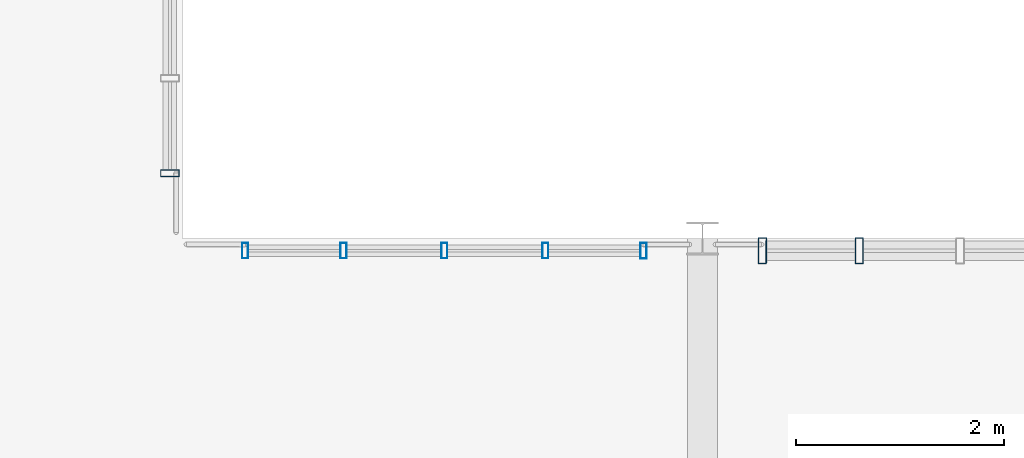
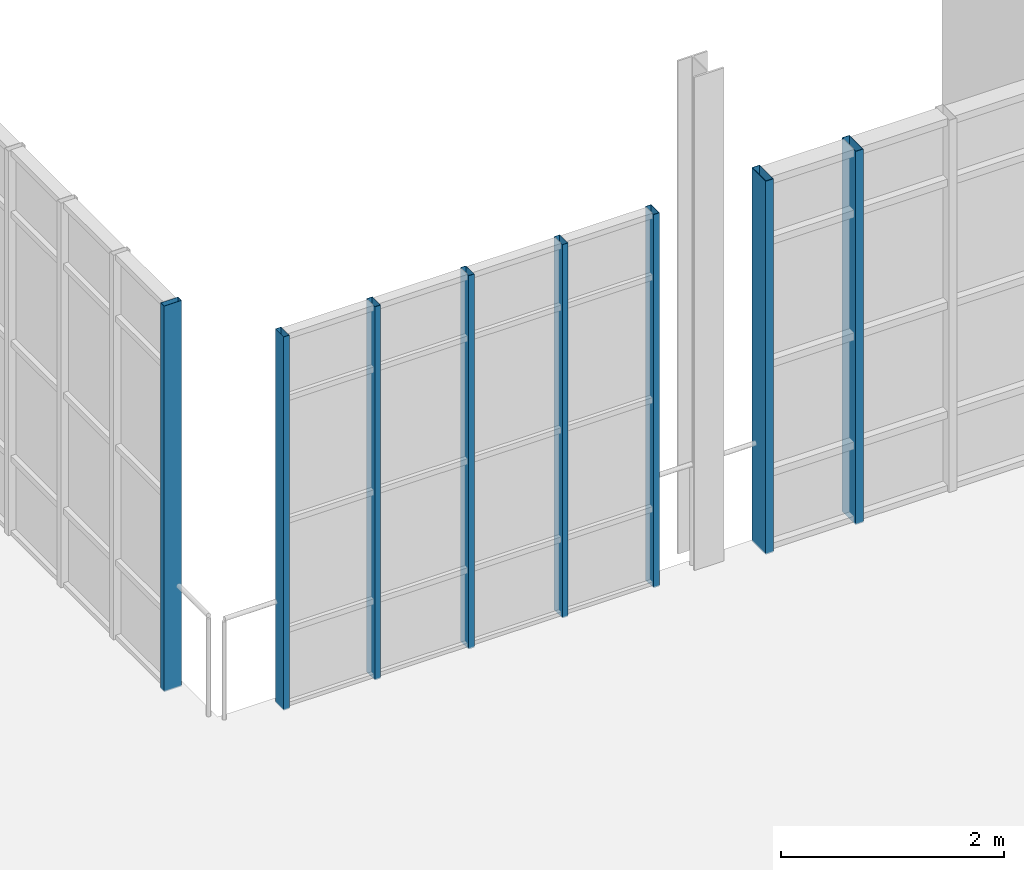
# One storey, part 53 of 189: 8 members, 3 elements without a shape of their own.
"""IFC4 building model written with IfcOpenShell, lengths in metres."""

from ifc_helpers import new_model, si_unit, direction, frame, origin, origin_2d, place, context, subcontext, project, spatial, hollow_rectangle, extrude, material, layer, layer_set, material_profile, profile_set, type_object, element, aggregate, save


model = new_model("IFC4")

# Units and contexts
model_context = context("Model", 3, precision=1e-05, world=origin(), true_north=direction((0.0, 1.0)))
body_context = subcontext(model_context, "Body", "Model", "MODEL_VIEW")
ifc_project = project(units=[si_unit("LENGTHUNIT", "METRE"), si_unit("AREAUNIT", "SQUARE_METRE"), si_unit("VOLUMEUNIT", "CUBIC_METRE"), si_unit("PLANEANGLEUNIT", "RADIAN"), si_unit("MASSUNIT", "GRAM", prefix="KILO"), si_unit("THERMODYNAMICTEMPERATUREUNIT", "KELVIN"), si_unit("POWERUNIT", "WATT")], contexts=[model_context])

# Site, building, storey
site_placement = place(None, origin())
site = spatial("IfcSite", under=ifc_project, at=site_placement, CompositionType="ELEMENT")
building_placement = place(site_placement, origin())
building = spatial("IfcBuilding", under=site, at=building_placement, Name="Zelmaris Science Centre", CompositionType="ELEMENT")
storey_placement = place(building_placement, origin())
storey = spatial("IfcBuildingStorey", under=building, at=storey_placement, Name="L00", CompositionType="ELEMENT", Elevation=0.0)

# Curtain wall, members
ifc_material = material(Name="Anodised architectural aluminium 6063-T6", Category="aluminium")
ifc_layer_1 = layer(ifc_material, 0.219970703125, Name="Anodised architectural aluminium 6063-T6")
ifc_layer_set_1 = layer_set([ifc_layer_1], Name="Anodised architectural aluminium 6063-T6")
curtain_wall_type_1 = type_object("IfcCurtainWallType", Name="Curtain Wall CW-04", PredefinedType="USERDEFINED", material=ifc_layer_set_1)
curtain_wall_1_placement = place(storey_placement, origin())
curtain_wall_1 = element("IfcCurtainWall", 1, at=curtain_wall_1_placement, inside=storey, type_object=curtain_wall_type_1, Name="L00 Unitised curtain wall 64", ObjectType="GLAZED CURTAIN WALL", PredefinedType="USERDEFINED")
ifc_material_profile_1 = material_profile(ifc_material, hollow_rectangle(XDim=0.06005859375, YDim=0.14990234375, WallThickness=0.00341796875, at=origin_2d()), Name="ALU-MUL-60X150")
ifc_profile_set_1 = profile_set([ifc_material_profile_1], Name="Anodised architectural aluminium 6063-T6")
member_type_1 = type_object("IfcMemberType", Name="ALU-MUL-60X150", PredefinedType="MULLION", material=ifc_profile_set_1)
member_1_placement = place(storey_placement, frame((98.60302734375, 29.88427734375, -0.014892578125), z_axis=(0.0, 0.0, 1.0), x_axis=(0.999999940891, -0.000343829856, 0.0)))
member_1 = element("IfcMember", 2, at=member_1_placement, type_object=member_type_1, Name="CW-04 mullion 1", PredefinedType="MULLION", context=body_context, shape_type="SweptSolid", body=[
    extrude(hollow_rectangle(XDim=0.06005859375, YDim=0.14990234375, WallThickness=0.00341796875, at=origin_2d()), origin(), (0.0, 0.0, 1.0), 4.0888671875),
])
member_2_placement = place(storey_placement, frame((99.5478515625, 29.884033203125, -0.014892578125), z_axis=(0.0, 0.0, 1.0), x_axis=(0.999999940891, -0.000343829856, 0.0)))
member_2 = element("IfcMember", 3, at=member_2_placement, type_object=member_type_1, Name="CW-04 mullion 2", PredefinedType="MULLION", context=body_context, shape_type="SweptSolid", body=[
    extrude(hollow_rectangle(XDim=0.06005859375, YDim=0.14990234375, WallThickness=0.00341796875, at=origin_2d()), origin(), (0.0, 0.0, 1.0), 4.0888671875),
])
member_3_placement = place(storey_placement, frame((100.5185546875, 29.8837890625, -0.014892578125), z_axis=(0.0, 0.0, 1.0), x_axis=(0.999999940891, -0.000343829856, 0.0)))
member_3 = element("IfcMember", 4, at=member_3_placement, type_object=member_type_1, Name="CW-04 mullion 3", PredefinedType="MULLION", context=body_context, shape_type="SweptSolid", body=[
    extrude(hollow_rectangle(XDim=0.06005859375, YDim=0.14990234375, WallThickness=0.00341796875, at=origin_2d()), origin(), (0.0, 0.0, 1.0), 4.0888671875),
])
member_4_placement = place(storey_placement, frame((101.4892578125, 29.88330078125, -0.014892578125), z_axis=(0.0, 0.0, 1.0), x_axis=(0.999999940891, -0.000343829856, 0.0)))
member_4 = element("IfcMember", 5, at=member_4_placement, type_object=member_type_1, Name="CW-04 mullion 4", PredefinedType="MULLION", context=body_context, shape_type="SweptSolid", body=[
    extrude(hollow_rectangle(XDim=0.06005859375, YDim=0.14990234375, WallThickness=0.00341796875, at=origin_2d()), origin(), (0.0, 0.0, 1.0), 4.0888671875),
])
member_5_placement = place(storey_placement, frame((102.43408203125, 29.883056640625, -0.014892578125), z_axis=(0.0, 0.0, 1.0), x_axis=(0.999999940891, -0.000343829856, 0.0)))
member_5 = element("IfcMember", 6, at=member_5_placement, type_object=member_type_1, Name="CW-04 mullion 5", PredefinedType="MULLION", context=body_context, shape_type="SweptSolid", body=[
    extrude(hollow_rectangle(XDim=0.06005859375, YDim=0.14990234375, WallThickness=0.00341796875, at=origin_2d()), origin(), (0.0, 0.0, 1.0), 4.0888671875),
])
aggregate(curtain_wall_1, [member_1, member_2, member_3, member_4, member_5])

# Curtain wall, member
ifc_layer_2 = layer(ifc_material, 0.2099609375, Name="Anodised architectural aluminium 6063-T6")
ifc_layer_set_2 = layer_set([ifc_layer_2], Name="Anodised architectural aluminium 6063-T6")
curtain_wall_type_2 = type_object("IfcCurtainWallType", Name="Curtain Wall CW-03", PredefinedType="USERDEFINED", material=ifc_layer_set_2)
curtain_wall_2_placement = place(storey_placement, origin())
curtain_wall_2 = element("IfcCurtainWall", 7, at=curtain_wall_2_placement, inside=storey, type_object=curtain_wall_type_2, Name="L00 Unitised curtain wall 63", ObjectType="GLAZED CURTAIN WALL", PredefinedType="USERDEFINED")
ifc_material_profile_2 = material_profile(ifc_material, hollow_rectangle(XDim=0.06494140625, YDim=0.179931640625, WallThickness=0.00390625, at=origin_2d()), Name="ALU-MUL-65X180")
ifc_profile_set_2 = profile_set([ifc_material_profile_2], Name="Anodised architectural aluminium 6063-T6")
member_type_2 = type_object("IfcMemberType", Name="ALU-MUL-65X180", PredefinedType="MULLION", material=ifc_profile_set_2)
member_6_placement = place(storey_placement, frame((97.8798828125, 30.62841796875, -0.014892578125), z_axis=(0.0, 0.0, 1.0), x_axis=(5.235988e-06, -0.999999999986, 0.0)))
member_6 = element("IfcMember", 8, at=member_6_placement, type_object=member_type_2, Name="CW-03 mullion 6", PredefinedType="MULLION", context=body_context, shape_type="SweptSolid", body=[
    extrude(hollow_rectangle(XDim=0.06494140625, YDim=0.179931640625, WallThickness=0.00390625, at=origin_2d()), origin(), (0.0, 0.0, 1.0), 4.223876953125),
])
aggregate(curtain_wall_2, [member_6])

# Curtain wall, members
ifc_layer_3 = layer(ifc_material, 0.18994140625, Name="Anodised architectural aluminium 6063-T6")
ifc_layer_set_3 = layer_set([ifc_layer_3], Name="Anodised architectural aluminium 6063-T6")
curtain_wall_type_3 = type_object("IfcCurtainWallType", Name="Curtain Wall CW-01", PredefinedType="USERDEFINED", material=ifc_layer_set_3)
curtain_wall_3_placement = place(storey_placement, origin())
curtain_wall_3 = element("IfcCurtainWall", 9, at=curtain_wall_3_placement, inside=storey, type_object=curtain_wall_type_3, Name="L00 Unitised curtain wall 65", ObjectType="GLAZED CURTAIN WALL", PredefinedType="USERDEFINED")
ifc_material_profile_3 = material_profile(ifc_material, hollow_rectangle(XDim=0.080078125, YDim=0.25, WallThickness=0.0048828125, at=origin_2d()), Name="ALU-MUL-80X250")
ifc_profile_set_3 = profile_set([ifc_material_profile_3], Name="Anodised architectural aluminium 6063-T6")
member_type_3 = type_object("IfcMemberType", Name="ALU-MUL-80X250", PredefinedType="MULLION", material=ifc_profile_set_3)
member_7_placement = place(storey_placement, frame((103.575927734375, 29.882568359375, -0.014892578125), z_axis=(0.0, 0.0, 1.0), x_axis=(0.999999940891, -0.000343829856, 0.0)))
member_7 = element("IfcMember", 10, at=member_7_placement, type_object=member_type_3, Name="CW-01 mullion 1", PredefinedType="MULLION", context=body_context, shape_type="SweptSolid", body=[
    extrude(hollow_rectangle(XDim=0.080078125, YDim=0.25, WallThickness=0.0048828125, at=origin_2d()), origin(), (0.0, 0.0, 1.0), 4.0888671875),
])
member_8_placement = place(storey_placement, frame((104.5078125, 29.88232421875, -0.014892578125), z_axis=(0.0, 0.0, 1.0), x_axis=(0.999999940891, -0.000343829856, 0.0)))
member_8 = element("IfcMember", 11, at=member_8_placement, type_object=member_type_3, Name="CW-01 mullion 2", PredefinedType="MULLION", context=body_context, shape_type="SweptSolid", body=[
    extrude(hollow_rectangle(XDim=0.080078125, YDim=0.25, WallThickness=0.0048828125, at=origin_2d()), origin(), (0.0, 0.0, 1.0), 4.0888671875),
])
aggregate(curtain_wall_3, [member_7, member_8])

save(model, "model.ifc")
